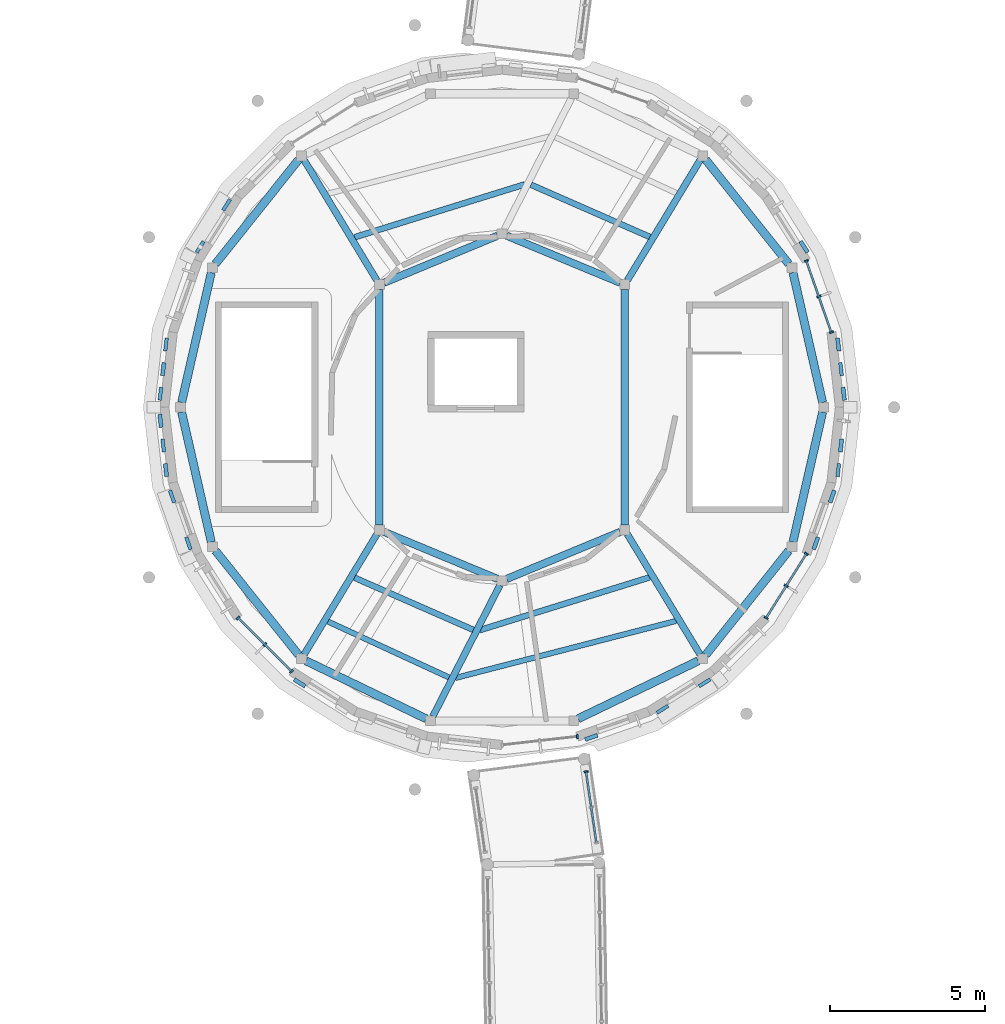
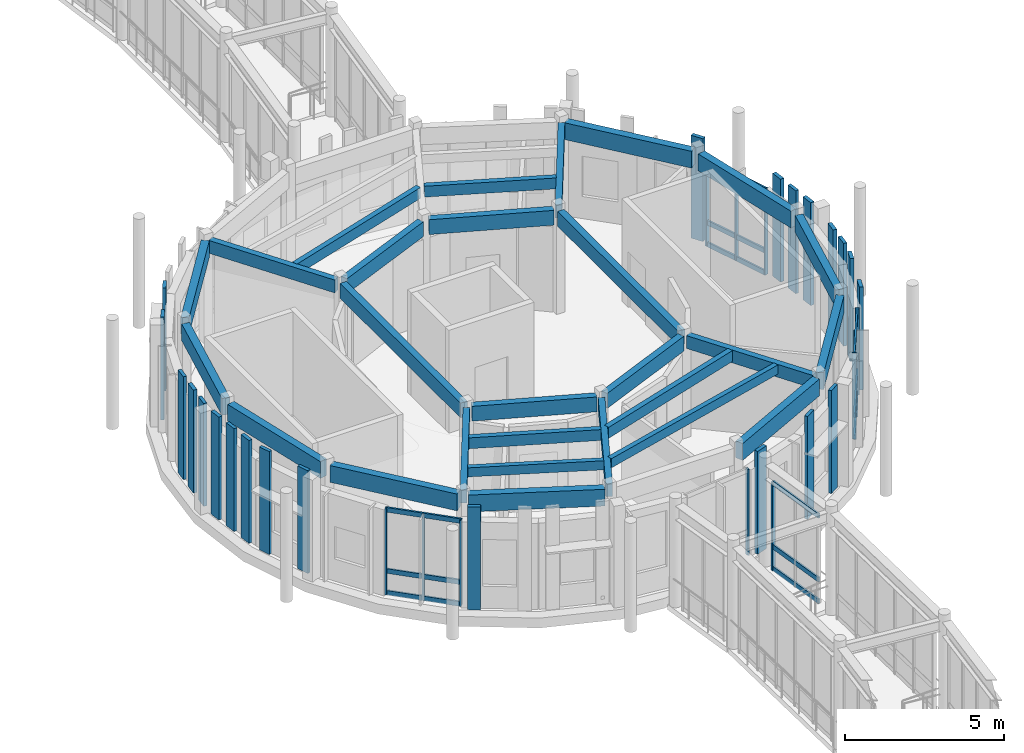
# One storey, part 10 of 80: 45 members, 27 beams, 5 elements without a shape of their own.
"""IFC4 building model written with IfcOpenShell, lengths in metres."""

from ifc_helpers import new_model, si_unit, direction, frame, origin, origin_2d, place, context, subcontext, project, spatial, rectangle, extrude, material, layer, layer_set, material_profile, profile_set, type_object, element, aggregate, save


model = new_model("IFC4")

# Units and contexts
model_context = context("Model", 3, precision=1e-05, world=origin(), true_north=direction((0.0, 1.0)))
body_context = subcontext(model_context, "Body", "Model", "MODEL_VIEW")
ifc_project = project(units=[si_unit("LENGTHUNIT", "METRE"), si_unit("AREAUNIT", "SQUARE_METRE"), si_unit("VOLUMEUNIT", "CUBIC_METRE"), si_unit("PLANEANGLEUNIT", "RADIAN"), si_unit("MASSUNIT", "GRAM", prefix="KILO")], contexts=[model_context])

# Site, building, storey
site_placement = place(None, origin())
site = spatial("IfcSite", under=ifc_project, at=site_placement, CompositionType="ELEMENT")
building_placement = place(site_placement, origin())
building = spatial("IfcBuilding", under=site, at=building_placement, Name="Aldenvaro Health Centre", CompositionType="ELEMENT")
storey_placement = place(building_placement, frame((0.0, 0.0, 4.550048828125)))
storey = spatial("IfcBuildingStorey", under=building, at=storey_placement, Name="L01", CompositionType="ELEMENT", Elevation=4.550048828125)

# Beams
ifc_material_1 = material(Name="Glulam GL28h", Category="wood")
ifc_material_profile_1 = material_profile(ifc_material_1, rectangle(XDim=0.175048828125, YDim=0.35009765625, at=origin_2d()), Name="GL 175x350", Category="wood")
ifc_profile_set_1 = profile_set([ifc_material_profile_1], Name="Glulam GL28h")
beam_type_1 = type_object("IfcBeamType", Name="BM-GL-350", PredefinedType="JOIST", material=ifc_profile_set_1)
beam_1_placement = place(storey_placement, frame((17.87890625, 50.5859375, 3.784912109375), z_axis=(0.907768314823, -0.419471913963, 0.0), x_axis=(0.419471913963, 0.907768314823, 0.0)))
element("IfcBeam", 1, at=beam_1_placement, inside=storey, type_object=beam_type_1, Name="D3 L01 secondary joist 04.2", PredefinedType="JOIST", context=body_context, shape_type="SweptSolid", body=[
    extrude(rectangle(XDim=0.175048828125, YDim=0.35009765625, at=origin_2d()), origin(), (0.0, 0.0, 1.0), 4.302978515625),
])
beam_2_placement = place(storey_placement, frame((21.987060546875, 48.762939453125, 3.784912109375), z_axis=(0.968184326998, 0.250238104522, 0.0), x_axis=(-0.250238104522, 0.968184326998, 0.0)))
element("IfcBeam", 2, at=beam_2_placement, inside=storey, type_object=beam_type_1, Name="D3 L01 secondary joist 05.2", PredefinedType="JOIST", context=body_context, shape_type="SweptSolid", body=[
    extrude(rectangle(XDim=0.175048828125, YDim=0.35009765625, at=origin_2d()), origin(), (0.0, 0.0, 1.0), 7.361083984375),
])
ifc_material_profile_2 = material_profile(ifc_material_1, rectangle(XDim=0.18994140625, YDim=0.41796875, at=origin_2d()), Name="GL 190x418", Category="wood")
ifc_profile_set_2 = profile_set([ifc_material_profile_2], Name="Glulam GL28h")
beam_type_2 = type_object("IfcBeamType", Name="BM-GL-418", PredefinedType="JOIST", material=ifc_profile_set_2)
beam_3_placement = place(storey_placement, frame((28.26611328125, 62.9990234375, 3.7509765625), z_axis=(-0.915566593655, 0.402166399122, 0.0), x_axis=(-0.402166399122, -0.915566593655, 0.0)))
element("IfcBeam", 3, at=beam_3_placement, inside=storey, type_object=beam_type_2, Name="D3 L01 secondary joist 01.1", PredefinedType="JOIST", context=body_context, shape_type="SweptSolid", body=[
    extrude(rectangle(XDim=0.18994140625, YDim=0.41796875, at=origin_2d()), origin(), (0.0, 0.0, 1.0), 4.18994140625),
])
beam_4_placement = place(storey_placement, frame((24.22900390625, 64.695068359375, 3.7509765625), z_axis=(-0.954919380911, -0.296865248825, 0.0), x_axis=(0.296865248825, -0.954919380911, 0.0)))
element("IfcBeam", 4, at=beam_4_placement, inside=storey, type_object=beam_type_2, Name="D3 L01 secondary joist 02.1", PredefinedType="JOIST", context=body_context, shape_type="SweptSolid", body=[
    extrude(rectangle(XDim=0.18994140625, YDim=0.41796875, at=origin_2d()), origin(), (0.0, 0.0, 1.0), 5.750244140625),
])
beam_5_placement = place(storey_placement, frame((18.73388671875, 52.0009765625, 3.7509765625), z_axis=(0.915566593655, -0.402166399122, 0.0), x_axis=(0.402166399122, 0.915566593655, 0.0)))
element("IfcBeam", 5, at=beam_5_placement, inside=storey, type_object=beam_type_2, Name="D3 L01 secondary joist 04.1", PredefinedType="JOIST", context=body_context, shape_type="SweptSolid", body=[
    extrude(rectangle(XDim=0.18994140625, YDim=0.41796875, at=origin_2d()), origin(), (0.0, 0.0, 1.0), 4.18994140625),
])
beam_6_placement = place(storey_placement, frame((22.77099609375, 50.304931640625, 3.7509765625), z_axis=(0.954919380911, 0.296865248825, 0.0), x_axis=(-0.296865248825, 0.954919380911, 0.0)))
element("IfcBeam", 6, at=beam_6_placement, inside=storey, type_object=beam_type_2, Name="D3 L01 secondary joist 05.1", PredefinedType="JOIST", context=body_context, shape_type="SweptSolid", body=[
    extrude(rectangle(XDim=0.18994140625, YDim=0.41796875, at=origin_2d()), origin(), (0.0, 0.0, 1.0), 5.750244140625),
])
ifc_material_profile_3 = material_profile(ifc_material_1, rectangle(XDim=0.215087890625, YDim=0.493896484375, at=origin_2d()), Name="GL 215x494", Category="wood")
ifc_profile_set_3 = profile_set([ifc_material_profile_3], Name="Glulam GL28h")
beam_type_3 = type_object("IfcBeamType", Name="BM-GL-494", PredefinedType="BEAM", material=ifc_profile_set_3)
for number, where, z_axis, x_axis, name in (
    (7, (27.541015625, 61.594970703125, 3.712890625), (0.517584151126, 0.855632308006, 0.0), (-0.855632308006, 0.517584151126, 0.0), "D3 L01 radial beam 01"),
    (8, (19.458984375, 61.594970703125, 3.712890625), (-0.517584151126, 0.855632308006, 0.0), (-0.855632308006, -0.517584151126, 0.0), "D3 L01 radial beam 03"),
    (9, (19.458984375, 53.405029296875, 3.712890625), (-0.517584151126, -0.855632308006, 0.0), (0.855632308006, -0.517584151126, 0.0), "D3 L01 radial beam 04"),
):
    element("IfcBeam", number, at=place(storey_placement, frame(where, z_axis=z_axis, x_axis=x_axis)), inside=storey, type_object=beam_type_3, Name=name, PredefinedType="BEAM", context=body_context, shape_type="SweptSolid", body=[
        extrude(rectangle(XDim=0.215087890625, YDim=0.493896484375, at=origin_2d()), origin(), (0.0, 0.0, 1.0), 4.54052734375),
    ])
beam_7_placement = place(storey_placement, frame((23.427978515625, 51.760009765625, 3.712890625), z_axis=(-0.454929452685, -0.89052748025, 0.0), x_axis=(0.89052748025, -0.454929452685, 0.0)))
element("IfcBeam", 10, at=beam_7_placement, inside=storey, type_object=beam_type_3, Name="D3 L01 radial beam 05", PredefinedType="BEAM", context=body_context, shape_type="SweptSolid", body=[
    extrude(rectangle(XDim=0.215087890625, YDim=0.493896484375, at=origin_2d()), origin(), (0.0, 0.0, 1.0), 4.76123046875),
])
beam_8_placement = place(storey_placement, frame((27.541015625, 53.405029296875, 3.712890625), z_axis=(0.517584151126, -0.855632308006, 0.0), x_axis=(0.855632308006, 0.517584151126, 0.0)))
element("IfcBeam", 11, at=beam_8_placement, inside=storey, type_object=beam_type_3, Name="D3 L01 radial beam 06", PredefinedType="BEAM", context=body_context, shape_type="SweptSolid", body=[
    extrude(rectangle(XDim=0.215087890625, YDim=0.493896484375, at=origin_2d()), origin(), (0.0, 0.0, 1.0), 4.54052734375),
])
ifc_material_profile_4 = material_profile(ifc_material_1, rectangle(XDim=0.239990234375, YDim=0.570068359375, at=origin_2d()), Name="GL 240x570", Category="wood")
ifc_profile_set_4 = profile_set([ifc_material_profile_4], Name="Glulam GL28h")
beam_type_4 = type_object("IfcBeamType", Name="BM-GL-570", PredefinedType="BEAM", material=ifc_profile_set_4)
for number, where, z_axis, x_axis, name in (
    (12, (27.31396484375, 61.52001953125, 3.675048828125), (-0.923817443679, 0.382833293686, 0.0), (-0.382833293686, -0.923817443679, 0.0), "D3 L01 inner ring beam 01"),
    (13, (23.35400390625, 63.0400390625, 3.675048828125), (-0.923817443679, -0.382833293686, 0.0), (0.382833293686, -0.923817443679, 0.0), "D3 L01 inner ring beam 02"),
):
    element("IfcBeam", number, at=place(storey_placement, frame(where, z_axis=z_axis, x_axis=x_axis)), inside=storey, type_object=beam_type_4, Name=name, PredefinedType="BEAM", context=body_context, shape_type="SweptSolid", body=[
        extrude(rectangle(XDim=0.239990234375, YDim=0.570068359375, at=origin_2d()), origin(), (0.0, 0.0, 1.0), 3.970458984375),
    ])
beam_9_placement = place(storey_placement, frame((19.5400390625, 61.302978515625, 3.675048828125), z_axis=(0.0, -1.0, 0.0), x_axis=(1.0, 0.0, 0.0)))
element("IfcBeam", 14, at=beam_9_placement, inside=storey, type_object=beam_type_4, Name="D3 L01 inner ring beam 03", PredefinedType="BEAM", context=body_context, shape_type="SweptSolid", body=[
    extrude(rectangle(XDim=0.239990234375, YDim=0.570068359375, at=origin_2d()), origin(), (0.0, 0.0, 1.0), 7.60595703125),
])
for number, where, z_axis, x_axis, name in (
    (15, (19.68603515625, 53.47998046875, 3.675048828125), (0.923817443679, -0.382833293686, 0.0), (0.382833293686, 0.923817443679, 0.0), "D3 L01 inner ring beam 04"),
    (16, (23.64599609375, 51.9599609375, 3.675048828125), (0.923817443679, 0.382833293686, 0.0), (-0.382833293686, 0.923817443679, 0.0), "D3 L01 inner ring beam 05"),
):
    element("IfcBeam", number, at=place(storey_placement, frame(where, z_axis=z_axis, x_axis=x_axis)), inside=storey, type_object=beam_type_4, Name=name, PredefinedType="BEAM", context=body_context, shape_type="SweptSolid", body=[
        extrude(rectangle(XDim=0.239990234375, YDim=0.570068359375, at=origin_2d()), origin(), (0.0, 0.0, 1.0), 3.970458984375),
    ])
beam_10_placement = place(storey_placement, frame((27.4599609375, 53.697021484375, 3.675048828125), z_axis=(0.0, 1.0, 0.0), x_axis=(-1.0, 0.0, 0.0)))
element("IfcBeam", 17, at=beam_10_placement, inside=storey, type_object=beam_type_4, Name="D3 L01 inner ring beam 06", PredefinedType="BEAM", context=body_context, shape_type="SweptSolid", body=[
    extrude(rectangle(XDim=0.239990234375, YDim=0.570068359375, at=origin_2d()), origin(), (0.0, 0.0, 1.0), 7.60595703125),
])
ifc_material_profile_5 = material_profile(ifc_material_1, rectangle(XDim=0.264892578125, YDim=0.64599609375, at=origin_2d()), Name="GL 265x646", Category="wood")
ifc_profile_set_5 = profile_set([ifc_material_profile_5], Name="Glulam GL28h")
beam_type_5 = type_object("IfcBeamType", Name="BM-GL-646", PredefinedType="SPANDREL", material=ifc_profile_set_5)
beam_11_placement = place(storey_placement, frame((33.844970703125, 57.654052734375, 3.636962890625), z_axis=(-0.222584521338, 0.974913396595, 0.0), x_axis=(-0.974913396595, -0.222584521338, 0.0)))
element("IfcBeam", 18, at=beam_11_placement, inside=storey, type_object=beam_type_5, Name="D3 L01 perimeter spandrel 01", PredefinedType="SPANDREL", context=body_context, shape_type="SweptSolid", body=[
    extrude(rectangle(XDim=0.264892578125, YDim=0.64599609375, at=origin_2d()), origin(), (0.0, 0.0, 1.0), 4.303955078125),
])
for number, where, z_axis, x_axis, name in (
    (19, (32.75390625, 62.126953125, 3.636962890625), (-0.623539182711, 0.781792100001, 0.0), (-0.781792100001, -0.623539182711, 0.0), "D3 L01 perimeter spandrel 02"),
    (20, (16.929931640625, 65.491943359375, 3.636962890625), (-0.623539182711, -0.781792100001, 0.0), (0.781792100001, -0.623539182711, 0.0), "D3 L01 perimeter spandrel 06"),
):
    element("IfcBeam", number, at=place(storey_placement, frame(where, z_axis=z_axis, x_axis=x_axis)), inside=storey, type_object=beam_type_5, Name=name, PredefinedType="SPANDREL", context=body_context, shape_type="SweptSolid", body=[
        extrude(rectangle(XDim=0.264892578125, YDim=0.64599609375, at=origin_2d()), origin(), (0.0, 0.0, 1.0), 4.30419921875),
    ])
for number, where, z_axis, x_axis, name in (
    (21, (14.113037109375, 61.85009765625, 3.636962890625), (-0.222584521338, -0.974913396595, 0.0), (0.974913396595, -0.222584521338, 0.0), "D3 L01 perimeter spandrel 07"),
    (22, (13.155029296875, 57.345947265625, 3.636962890625), (0.222584521338, -0.974913396595, 0.0), (0.974913396595, 0.222584521338, 0.0), "D3 L01 perimeter spandrel 08"),
):
    element("IfcBeam", number, at=place(storey_placement, frame(where, z_axis=z_axis, x_axis=x_axis)), inside=storey, type_object=beam_type_5, Name=name, PredefinedType="SPANDREL", context=body_context, shape_type="SweptSolid", body=[
        extrude(rectangle(XDim=0.264892578125, YDim=0.64599609375, at=origin_2d()), origin(), (0.0, 0.0, 1.0), 4.303955078125),
    ])
beam_12_placement = place(storey_placement, frame((14.24609375, 52.873046875, 3.636962890625), z_axis=(0.623539182711, -0.781792100001, 0.0), x_axis=(0.781792100001, 0.623539182711, 0.0)))
element("IfcBeam", 23, at=beam_12_placement, inside=storey, type_object=beam_type_5, Name="D3 L01 perimeter spandrel 09", PredefinedType="SPANDREL", context=body_context, shape_type="SweptSolid", body=[
    extrude(rectangle(XDim=0.264892578125, YDim=0.64599609375, at=origin_2d()), origin(), (0.0, 0.0, 1.0), 4.30419921875),
])
for number, where, z_axis, x_axis, name in (
    (24, (17.169921875, 49.31689453125, 3.636962890625), (0.900853840555, -0.434122514916, 0.0), (0.434122514916, 0.900853840555, 0.0), "D3 L01 perimeter spandrel 10"),
    (25, (25.951904296875, 47.447998046875, 3.636962890625), (0.900853840555, 0.434122514916, 0.0), (-0.434122514916, 0.900853840555, 0.0), "D3 L01 perimeter spandrel 12"),
):
    element("IfcBeam", number, at=place(storey_placement, frame(where, z_axis=z_axis, x_axis=x_axis)), inside=storey, type_object=beam_type_5, Name=name, PredefinedType="SPANDREL", context=body_context, shape_type="SweptSolid", body=[
        extrude(rectangle(XDim=0.264892578125, YDim=0.64599609375, at=origin_2d()), origin(), (0.0, 0.0, 1.0), 4.304931640625),
    ])
beam_13_placement = place(storey_placement, frame((30.070068359375, 49.508056640625, 3.636962890625), z_axis=(0.623539182711, 0.781792100001, 0.0), x_axis=(-0.781792100001, 0.623539182711, 0.0)))
element("IfcBeam", 26, at=beam_13_placement, inside=storey, type_object=beam_type_5, Name="D3 L01 perimeter spandrel 13", PredefinedType="SPANDREL", context=body_context, shape_type="SweptSolid", body=[
    extrude(rectangle(XDim=0.264892578125, YDim=0.64599609375, at=origin_2d()), origin(), (0.0, 0.0, 1.0), 4.30419921875),
])
beam_14_placement = place(storey_placement, frame((32.886962890625, 53.14990234375, 3.636962890625), z_axis=(0.222584521338, 0.974913396595, 0.0), x_axis=(-0.974913396595, 0.222584521338, 0.0)))
element("IfcBeam", 27, at=beam_14_placement, inside=storey, type_object=beam_type_5, Name="D3 L01 perimeter spandrel 14", PredefinedType="SPANDREL", context=body_context, shape_type="SweptSolid", body=[
    extrude(rectangle(XDim=0.264892578125, YDim=0.64599609375, at=origin_2d()), origin(), (0.0, 0.0, 1.0), 4.303955078125),
])

# Curtain wall, members
ifc_material_2 = material(Name="Anodised Aluminium 6063-T6", Category="aluminium")
ifc_layer_1 = layer(ifc_material_2, 0.195068359375, Name="Anodised Aluminium 6063-T6", Category="aluminium")
ifc_layer_set_1 = layer_set([ifc_layer_1], Name="Anodised Aluminium 6063-T6")
curtain_wall_type_1 = type_object("IfcCurtainWallType", Name="CW-CLN-02", PredefinedType="NOTDEFINED", material=ifc_layer_set_1)
curtain_wall_1_placement = place(storey_placement, origin())
curtain_wall_1 = element("IfcCurtainWall", 28, at=curtain_wall_1_placement, inside=storey, type_object=curtain_wall_type_1, Name="D3 L01 curtain wall bay 03", PredefinedType="NOTDEFINED")
ifc_material_profile_6 = material_profile(ifc_material_2, rectangle(XDim=0.06005859375, YDim=0.135009765625, at=origin_2d()), Name="ALU 60x135", Category="aluminium")
ifc_profile_set_6 = profile_set([ifc_material_profile_6], Name="Anodised Aluminium 6063-T6")
member_type_1 = type_object("IfcMemberType", Name="CWM-150", PredefinedType="MULLION", material=ifc_profile_set_6)
member_1_placement = place(storey_placement, frame((33.321044921875, 52.77099609375, 0.0), z_axis=(0.0, 0.0, 1.0), x_axis=(-0.532096042675, -0.846684003256, 0.0)))
member_1 = element("IfcMember", 29, at=member_1_placement, type_object=member_type_1, Name="D3 L01 curtain wall bay 03 mullion 1", PredefinedType="MULLION", context=body_context, shape_type="SweptSolid", body=[
    extrude(rectangle(XDim=0.06005859375, YDim=0.135009765625, at=origin_2d()), origin(), (0.0, 0.0, 1.0), 3.31396484375),
])
member_2_placement = place(storey_placement, frame((32.6708984375, 51.737060546875, 0.0), z_axis=(0.0, 0.0, 1.0), x_axis=(-0.532096042675, -0.846684003256, 0.0)))
member_2 = element("IfcMember", 30, at=member_2_placement, type_object=member_type_1, Name="D3 L01 curtain wall bay 03 mullion 2", PredefinedType="MULLION", context=body_context, shape_type="SweptSolid", body=[
    extrude(rectangle(XDim=0.06005859375, YDim=0.135009765625, at=origin_2d()), origin(), (0.0, 0.0, 1.0), 3.31396484375),
])
member_3_placement = place(storey_placement, frame((32.02197265625, 50.7041015625, 0.0), z_axis=(0.0, 0.0, 1.0), x_axis=(-0.532096042675, -0.846684003256, 0.0)))
member_3 = element("IfcMember", 31, at=member_3_placement, type_object=member_type_1, Name="D3 L01 curtain wall bay 03 mullion 3", PredefinedType="MULLION", context=body_context, shape_type="SweptSolid", body=[
    extrude(rectangle(XDim=0.06005859375, YDim=0.135009765625, at=origin_2d()), origin(), (0.0, 0.0, 1.0), 3.31396484375),
])

# Curtain wall, member
curtain_wall_2_placement = place(storey_placement, origin())
curtain_wall_2 = element("IfcCurtainWall", 32, at=curtain_wall_2_placement, inside=storey, type_object=curtain_wall_type_1, Name="D3 L01 curtain wall bay 07", PredefinedType="NOTDEFINED")
member_4_placement = place(storey_placement, frame((25.925048828125, 46.873046875, 0.0), z_axis=(0.0, 0.0, 1.0), x_axis=(-0.993722777443, -0.111870646695, 0.0)))
member_4 = element("IfcMember", 33, at=member_4_placement, type_object=member_type_1, Name="D3 L01 curtain wall bay 07 mullion 1", PredefinedType="MULLION", context=body_context, shape_type="SweptSolid", body=[
    extrude(rectangle(XDim=0.06005859375, YDim=0.135009765625, at=origin_2d()), origin(), (0.0, 0.0, 1.0), 3.31396484375),
])
aggregate(curtain_wall_2, [member_4])

# Curtain wall, members
curtain_wall_3_placement = place(storey_placement, origin())
curtain_wall_3 = element("IfcCurtainWall", 34, at=curtain_wall_3_placement, inside=storey, type_object=curtain_wall_type_1, Name="D3 L01 curtain wall bay 11", PredefinedType="NOTDEFINED")
member_5_placement = place(storey_placement, frame((16.7041015625, 48.97802734375, 0.0), z_axis=(0.0, 0.0, 1.0), x_axis=(-0.707106781187, 0.707106781187, 0.0)))
member_5 = element("IfcMember", 35, at=member_5_placement, type_object=member_type_1, Name="D3 L01 curtain wall bay 11 mullion 1", PredefinedType="MULLION", context=body_context, shape_type="SweptSolid", body=[
    extrude(rectangle(XDim=0.06005859375, YDim=0.135009765625, at=origin_2d()), origin(), (0.0, 0.0, 1.0), 3.31396484375),
])
member_6_placement = place(storey_placement, frame((15.841064453125, 49.841064453125, 0.0), z_axis=(0.0, 0.0, 1.0), x_axis=(-0.707106781187, 0.707106781187, 0.0)))
member_6 = element("IfcMember", 36, at=member_6_placement, type_object=member_type_1, Name="D3 L01 curtain wall bay 11 mullion 2", PredefinedType="MULLION", context=body_context, shape_type="SweptSolid", body=[
    extrude(rectangle(XDim=0.06005859375, YDim=0.135009765625, at=origin_2d()), origin(), (0.0, 0.0, 1.0), 3.31396484375),
])
member_7_placement = place(storey_placement, frame((14.97802734375, 50.7041015625, 0.0), z_axis=(0.0, 0.0, 1.0), x_axis=(-0.707106781187, 0.707106781187, 0.0)))
member_7 = element("IfcMember", 37, at=member_7_placement, type_object=member_type_1, Name="D3 L01 curtain wall bay 11 mullion 3", PredefinedType="MULLION", context=body_context, shape_type="SweptSolid", body=[
    extrude(rectangle(XDim=0.06005859375, YDim=0.135009765625, at=origin_2d()), origin(), (0.0, 0.0, 1.0), 3.31396484375),
])

curtain_wall_4_placement = place(storey_placement, origin())
curtain_wall_4 = element("IfcCurtainWall", 38, at=curtain_wall_4_placement, inside=storey, type_object=curtain_wall_type_1, Name="D3 L01 curtain wall bay 27", PredefinedType="NOTDEFINED")
member_8_placement = place(storey_placement, frame((33.321044921875, 62.22900390625, 0.0), z_axis=(0.0, 0.0, 1.0), x_axis=(0.330204431323, -0.943909441385, 0.0)))
member_8 = element("IfcMember", 39, at=member_8_placement, type_object=member_type_1, Name="D3 L01 curtain wall bay 27 mullion 1", PredefinedType="MULLION", context=body_context, shape_type="SweptSolid", body=[
    extrude(rectangle(XDim=0.06005859375, YDim=0.135009765625, at=origin_2d()), origin(), (0.0, 0.0, 1.0), 3.31396484375),
])
member_9_placement = place(storey_placement, frame((33.72412109375, 61.076904296875, 0.0), z_axis=(0.0, 0.0, 1.0), x_axis=(0.330204431323, -0.943909441385, 0.0)))
member_9 = element("IfcMember", 40, at=member_9_placement, type_object=member_type_1, Name="D3 L01 curtain wall bay 27 mullion 2", PredefinedType="MULLION", context=body_context, shape_type="SweptSolid", body=[
    extrude(rectangle(XDim=0.06005859375, YDim=0.135009765625, at=origin_2d()), origin(), (0.0, 0.0, 1.0), 3.31396484375),
])
member_10_placement = place(storey_placement, frame((34.126953125, 59.925048828125, 0.0), z_axis=(0.0, 0.0, 1.0), x_axis=(0.330204431323, -0.943909441385, 0.0)))
member_10 = element("IfcMember", 41, at=member_10_placement, type_object=member_type_1, Name="D3 L01 curtain wall bay 27 mullion 3", PredefinedType="MULLION", context=body_context, shape_type="SweptSolid", body=[
    extrude(rectangle(XDim=0.06005859375, YDim=0.135009765625, at=origin_2d()), origin(), (0.0, 0.0, 1.0), 3.31396484375),
])

# Curtain wall, member
ifc_layer_2 = layer(ifc_material_2, 0.2099609375, Name="Anodised Aluminium 6063-T6", Category="aluminium")
ifc_layer_set_2 = layer_set([ifc_layer_2], Name="Anodised Aluminium 6063-T6")
curtain_wall_type_2 = type_object("IfcCurtainWallType", Name="CW-BRG-03", PredefinedType="NOTDEFINED", material=ifc_layer_set_2)
curtain_wall_5_placement = place(storey_placement, origin())
curtain_wall_5 = element("IfcCurtainWall", 42, at=curtain_wall_5_placement, inside=storey, type_object=curtain_wall_type_2, Name="West South Curved Garden Walkway Arc 3 L01 glazed link wall R-1.1", PredefinedType="NOTDEFINED")
member_11_placement = place(storey_placement, frame((26.2109375, 45.738037109375, 0.0), z_axis=(0.0, 0.0, 1.0), x_axis=(-0.144685733702, 0.989477659406, 0.0)))
member_11 = element("IfcMember", 43, at=member_11_placement, type_object=member_type_1, Name="West South Curved Garden Walkway Arc 3 L01 glazed link wall R-1.1 mullion 3", PredefinedType="MULLION", context=body_context, shape_type="SweptSolid", body=[
    extrude(rectangle(XDim=0.06005859375, YDim=0.135009765625, at=origin_2d()), origin(), (0.0, 0.0, 1.0), 3.409912109375),
])

# Member
ifc_material_profile_7 = material_profile(ifc_material_2, rectangle(XDim=0.06494140625, YDim=0.179931640625, at=origin_2d()), Name="ALU 65x180", Category="aluminium")
ifc_profile_set_7 = profile_set([ifc_material_profile_7], Name="Anodised Aluminium 6063-T6")
member_type_2 = type_object("IfcMemberType", Name="CWT-150", PredefinedType="USERDEFINED", material=ifc_profile_set_7)
member_12_placement = place(storey_placement, frame((33.321044921875, 52.77099609375, 0.06005859375), z_axis=(-0.532136726684, -0.846658434148, 0.0), x_axis=(0.846658434148, -0.532136726684, 0.0)))
member_12 = element("IfcMember", 44, at=member_12_placement, type_object=member_type_2, Name="D3 L01 curtain wall bay 03 transom 1", ObjectType="TRANSOM", PredefinedType="USERDEFINED", context=body_context, shape_type="SweptSolid", body=[
    extrude(rectangle(XDim=0.06494140625, YDim=0.179931640625, at=origin_2d()), origin(), (0.0, 0.0, 1.0), 2.441162109375),
])

member_13_placement = place(storey_placement, frame((33.321044921875, 52.77099609375, 0.89990234375), z_axis=(-0.532136726684, -0.846658434148, 0.0), x_axis=(0.846658434148, -0.532136726684, 0.0)))
member_13 = element("IfcMember", 45, at=member_13_placement, type_object=member_type_2, Name="D3 L01 curtain wall bay 03 transom 2", ObjectType="TRANSOM", PredefinedType="USERDEFINED", context=body_context, shape_type="SweptSolid", body=[
    extrude(rectangle(XDim=0.06494140625, YDim=0.179931640625, at=origin_2d()), origin(), (0.0, 0.0, 1.0), 2.441162109375),
])

member_14_placement = place(storey_placement, frame((33.321044921875, 52.77099609375, 3.25390625), z_axis=(-0.532136726684, -0.846658434148, 0.0), x_axis=(0.846658434148, -0.532136726684, 0.0)))
member_14 = element("IfcMember", 46, at=member_14_placement, type_object=member_type_2, Name="D3 L01 curtain wall bay 03 transom 3", ObjectType="TRANSOM", PredefinedType="USERDEFINED", context=body_context, shape_type="SweptSolid", body=[
    extrude(rectangle(XDim=0.06494140625, YDim=0.179931640625, at=origin_2d()), origin(), (0.0, 0.0, 1.0), 2.441162109375),
])

aggregate(curtain_wall_1, [member_1, member_2, member_3, member_12, member_13, member_14])

member_15_placement = place(storey_placement, frame((16.7041015625, 48.97802734375, 0.06005859375), z_axis=(-0.707106781187, 0.707106781187, 0.0), x_axis=(-0.707106781187, -0.707106781187, 0.0)))
member_15 = element("IfcMember", 47, at=member_15_placement, type_object=member_type_2, Name="D3 L01 curtain wall bay 11 transom 1", ObjectType="TRANSOM", PredefinedType="USERDEFINED", context=body_context, shape_type="SweptSolid", body=[
    extrude(rectangle(XDim=0.06494140625, YDim=0.179931640625, at=origin_2d()), origin(), (0.0, 0.0, 1.0), 2.44091796875),
])

member_16_placement = place(storey_placement, frame((16.7041015625, 48.97802734375, 0.89990234375), z_axis=(-0.707106781187, 0.707106781187, 0.0), x_axis=(-0.707106781187, -0.707106781187, 0.0)))
member_16 = element("IfcMember", 48, at=member_16_placement, type_object=member_type_2, Name="D3 L01 curtain wall bay 11 transom 2", ObjectType="TRANSOM", PredefinedType="USERDEFINED", context=body_context, shape_type="SweptSolid", body=[
    extrude(rectangle(XDim=0.06494140625, YDim=0.179931640625, at=origin_2d()), origin(), (0.0, 0.0, 1.0), 2.44091796875),
])

member_17_placement = place(storey_placement, frame((16.7041015625, 48.97802734375, 3.25390625), z_axis=(-0.707106781187, 0.707106781187, 0.0), x_axis=(-0.707106781187, -0.707106781187, 0.0)))
member_17 = element("IfcMember", 49, at=member_17_placement, type_object=member_type_2, Name="D3 L01 curtain wall bay 11 transom 3", ObjectType="TRANSOM", PredefinedType="USERDEFINED", context=body_context, shape_type="SweptSolid", body=[
    extrude(rectangle(XDim=0.06494140625, YDim=0.179931640625, at=origin_2d()), origin(), (0.0, 0.0, 1.0), 2.44091796875),
])

aggregate(curtain_wall_3, [member_5, member_6, member_7, member_15, member_16, member_17])

member_18_placement = place(storey_placement, frame((33.321044921875, 62.22900390625, 0.06005859375), z_axis=(0.330176659411, -0.943919156274, 0.0), x_axis=(0.943919156274, 0.330176659411, 0.0)))
member_18 = element("IfcMember", 50, at=member_18_placement, type_object=member_type_2, Name="D3 L01 curtain wall bay 27 transom 1", ObjectType="TRANSOM", PredefinedType="USERDEFINED", context=body_context, shape_type="SweptSolid", body=[
    extrude(rectangle(XDim=0.06494140625, YDim=0.179931640625, at=origin_2d()), origin(), (0.0, 0.0, 1.0), 2.44091796875),
])

member_19_placement = place(storey_placement, frame((33.321044921875, 62.22900390625, 0.89990234375), z_axis=(0.330176659411, -0.943919156274, 0.0), x_axis=(0.943919156274, 0.330176659411, 0.0)))
member_19 = element("IfcMember", 51, at=member_19_placement, type_object=member_type_2, Name="D3 L01 curtain wall bay 27 transom 2", ObjectType="TRANSOM", PredefinedType="USERDEFINED", context=body_context, shape_type="SweptSolid", body=[
    extrude(rectangle(XDim=0.06494140625, YDim=0.179931640625, at=origin_2d()), origin(), (0.0, 0.0, 1.0), 2.44091796875),
])

member_20_placement = place(storey_placement, frame((33.321044921875, 62.22900390625, 3.25390625), z_axis=(0.330176659411, -0.943919156274, 0.0), x_axis=(0.943919156274, 0.330176659411, 0.0)))
member_20 = element("IfcMember", 52, at=member_20_placement, type_object=member_type_2, Name="D3 L01 curtain wall bay 27 transom 3", ObjectType="TRANSOM", PredefinedType="USERDEFINED", context=body_context, shape_type="SweptSolid", body=[
    extrude(rectangle(XDim=0.06494140625, YDim=0.179931640625, at=origin_2d()), origin(), (0.0, 0.0, 1.0), 2.44091796875),
])

aggregate(curtain_wall_4, [member_8, member_9, member_10, member_18, member_19, member_20])

member_21_placement = place(storey_placement, frame((26.5458984375, 43.447021484375, 0.06005859375), z_axis=(-0.144668249798, 0.989480215821, 0.0), x_axis=(-0.989480215821, -0.144668249798, 0.0)))
member_21 = element("IfcMember", 53, at=member_21_placement, type_object=member_type_2, Name="West South Curved Garden Walkway Arc 3 L01 glazed link wall R-1.1 transom 1", ObjectType="TRANSOM", PredefinedType="USERDEFINED", context=body_context, shape_type="SweptSolid", body=[
    extrude(rectangle(XDim=0.06494140625, YDim=0.179931640625, at=origin_2d()), origin(), (0.0, 0.0, 1.0), 2.3154296875),
])

member_22_placement = place(storey_placement, frame((26.5458984375, 43.447021484375, 0.89990234375), z_axis=(-0.144668249798, 0.989480215821, 0.0), x_axis=(-0.989480215821, -0.144668249798, 0.0)))
member_22 = element("IfcMember", 54, at=member_22_placement, type_object=member_type_2, Name="West South Curved Garden Walkway Arc 3 L01 glazed link wall R-1.1 transom 2", ObjectType="TRANSOM", PredefinedType="USERDEFINED", context=body_context, shape_type="SweptSolid", body=[
    extrude(rectangle(XDim=0.06494140625, YDim=0.179931640625, at=origin_2d()), origin(), (0.0, 0.0, 1.0), 2.3154296875),
])

member_23_placement = place(storey_placement, frame((26.5458984375, 43.447021484375, 3.349853515625), z_axis=(-0.144668249798, 0.989480215821, 0.0), x_axis=(-0.989480215821, -0.144668249798, 0.0)))
member_23 = element("IfcMember", 55, at=member_23_placement, type_object=member_type_2, Name="West South Curved Garden Walkway Arc 3 L01 glazed link wall R-1.1 transom 3", ObjectType="TRANSOM", PredefinedType="USERDEFINED", context=body_context, shape_type="SweptSolid", body=[
    extrude(rectangle(XDim=0.06494140625, YDim=0.179931640625, at=origin_2d()), origin(), (0.0, 0.0, 1.0), 2.3154296875),
])

aggregate(curtain_wall_5, [member_11, member_21, member_22, member_23])

# Members
ifc_material_profile_8 = material_profile(ifc_material_1, rectangle(XDim=0.114990234375, YDim=0.419921875, at=origin_2d()), Name="GL 115x420", Category="wood")
ifc_profile_set_8 = profile_set([ifc_material_profile_8], Name="Glulam GL28h")
member_type_3 = type_object("IfcMemberType", Name="MEM-SLT-420A", PredefinedType="POST", material=ifc_profile_set_8)
for number, where, z_axis, x_axis, name in (
    (56, (34.347900390625, 55.472900390625, 0.0), (0.0, 0.0, 1.0), (0.993722777443, -0.111870646695, 0.0), "D3 L01 vertical timber slat 1.3"),
    (57, (30.033935546875, 48.60595703125, 0.0), (0.0, 0.0, 1.0), (0.532096042675, -0.846684003256, 0.0), "D3 L01 vertical timber slat 5.1"),
    (58, (28.677978515625, 47.75390625, 0.0), (0.0, 0.0, 1.0), (0.532096042675, -0.846684003256, 0.0), "D3 L01 vertical timber slat 5.3"),
    (59, (13.375, 53.110107421875, 0.0), (0.0, 0.0, 1.0), (-0.943909441385, -0.330204431323, 0.0), "D3 L01 vertical timber slat 13.1"),
    (60, (12.846923828125, 54.62109375, 0.0), (0.0, 0.0, 1.0), (-0.943909441385, -0.330204431323, 0.0), "D3 L01 vertical timber slat 13.3"),
    (61, (12.56298828125, 56.26806640625, 0.0), (0.0, 0.0, 1.0), (-0.993722777443, -0.111870646695, 0.0), "D3 L01 vertical timber slat 14.2"),
    (62, (12.472900390625, 57.93701171875, 0.0), (0.0, 0.0, 1.0), (-0.993722777443, 0.111870646695, 0.0), "D3 L01 vertical timber slat 15.1"),
    (63, (12.652099609375, 59.527099609375, 0.0), (0.0, 0.0, 1.0), (-0.993722777443, 0.111870646695, 0.0), "D3 L01 vertical timber slat 15.3"),
    (64, (13.75390625, 62.677978515625, 0.0), (0.0, 0.0, 1.0), (-0.846684003256, 0.532096042675, 0.0), "D3 L01 vertical timber slat 17.1"),
    (65, (14.60595703125, 64.033935546875, 0.0), (0.0, 0.0, 1.0), (-0.846684003256, 0.532096042675, 0.0), "D3 L01 vertical timber slat 17.3"),
    (66, (34.43701171875, 58.73193359375, 0.0), (0.0, 0.0, 1.0), (0.993722777443, 0.111870646695, 0.0), "D3 L01 vertical timber slat 28.2"),
):
    element("IfcMember", number, at=place(storey_placement, frame(where, z_axis=z_axis, x_axis=x_axis)), inside=storey, type_object=member_type_3, Name=name, PredefinedType="POST", context=body_context, shape_type="SweptSolid", body=[
        extrude(rectangle(XDim=0.114990234375, YDim=0.419921875, at=origin_2d()), origin(), (0.0, 0.0, 1.0), 3.9599609375),
    ])
ifc_material_profile_9 = material_profile(ifc_material_1, rectangle(XDim=0.1298828125, YDim=0.419921875, at=origin_2d()), Name="GL 130x420", Category="wood")
ifc_profile_set_9 = profile_set([ifc_material_profile_9], Name="Glulam GL28h")
member_type_4 = type_object("IfcMemberType", Name="MEM-SLT-420B", PredefinedType="POST", material=ifc_profile_set_9)
for number, where, z_axis, x_axis, name in (
    (67, (34.43701171875, 56.26806640625, 0.0), (0.0, 0.0, 1.0), (0.993722777443, -0.111870646695, 0.0), "D3 L01 vertical timber slat 1.2"),
    (68, (34.153076171875, 54.62109375, 0.0), (0.0, 0.0, 1.0), (0.943909441385, -0.330204431323, 0.0), "D3 L01 vertical timber slat 2.1"),
    (69, (33.625, 53.110107421875, 0.0), (0.0, 0.0, 1.0), (0.943909441385, -0.330204431323, 0.0), "D3 L01 vertical timber slat 2.3"),
    (70, (26.37890625, 46.846923828125, 0.0), (0.0, 0.0, 1.0), (0.330204431323, -0.943909441385, 0.0), "D3 L01 vertical timber slat 6.3"),
    (71, (16.966064453125, 48.60595703125, 0.0), (0.0, 0.0, 1.0), (-0.532096042675, -0.846684003256, 0.0), "D3 L01 vertical timber slat 10.3"),
    (72, (12.652099609375, 55.472900390625, 0.0), (0.0, 0.0, 1.0), (-0.993722777443, -0.111870646695, 0.0), "D3 L01 vertical timber slat 14.1"),
    (73, (12.472900390625, 57.06298828125, 0.0), (0.0, 0.0, 1.0), (-0.993722777443, -0.111870646695, 0.0), "D3 L01 vertical timber slat 14.3"),
    (74, (12.56298828125, 58.73193359375, 0.0), (0.0, 0.0, 1.0), (-0.993722777443, 0.111870646695, 0.0), "D3 L01 vertical timber slat 15.2"),
    (75, (33.24609375, 62.677978515625, 0.0), (0.0, 0.0, 1.0), (0.846684003256, 0.532096042675, 0.0), "D3 L01 vertical timber slat 26.3"),
    (76, (34.347900390625, 59.527099609375, 0.0), (0.0, 0.0, 1.0), (0.993722777443, 0.111870646695, 0.0), "D3 L01 vertical timber slat 28.1"),
    (77, (34.527099609375, 57.93701171875, 0.0), (0.0, 0.0, 1.0), (0.993722777443, 0.111870646695, 0.0), "D3 L01 vertical timber slat 28.3"),
):
    element("IfcMember", number, at=place(storey_placement, frame(where, z_axis=z_axis, x_axis=x_axis)), inside=storey, type_object=member_type_4, Name=name, PredefinedType="POST", context=body_context, shape_type="SweptSolid", body=[
        extrude(rectangle(XDim=0.1298828125, YDim=0.419921875, at=origin_2d()), origin(), (0.0, 0.0, 1.0), 3.9599609375),
    ])

save(model, "model.ifc")
